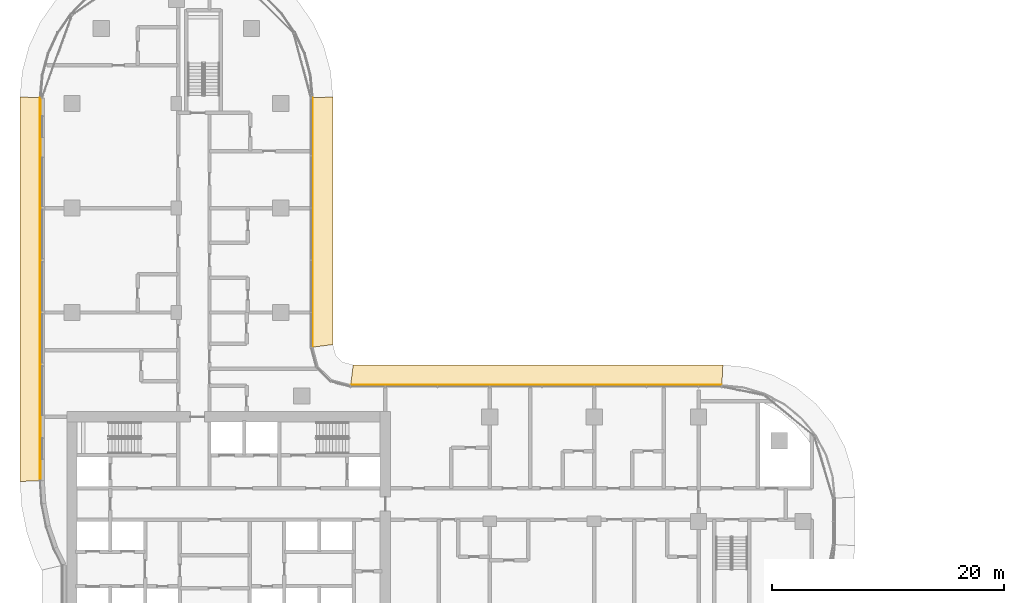
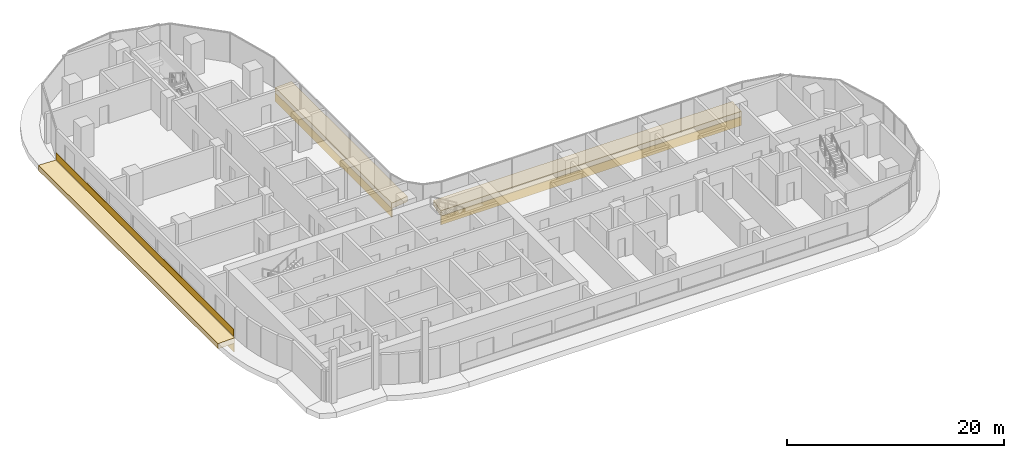
# One storey, part 32 of 36: 7 coverings.
"""IFC4 building model written with IfcOpenShell, lengths in metres."""

from ifc_helpers import new_model, si_unit, direction, frame, origin, origin_2d, place, context, subcontext, project, spatial, polyline, rectangle, outline, extrude, material, layer, layer_set, type_object, element, save


model = new_model("IFC4")

# Units and contexts
model_context = context("Model", 3, precision=1e-05, world=origin(), true_north=direction((0.0, 1.0)))
body_context = subcontext(model_context, "Body", "Model", "MODEL_VIEW")
ifc_project = project(units=[si_unit("LENGTHUNIT", "METRE"), si_unit("AREAUNIT", "SQUARE_METRE"), si_unit("VOLUMEUNIT", "CUBIC_METRE"), si_unit("PLANEANGLEUNIT", "RADIAN"), si_unit("MASSUNIT", "GRAM", prefix="KILO")], contexts=[model_context])

# Site, building, storey
site_placement = place(None, origin())
site = spatial("IfcSite", under=ifc_project, at=site_placement, CompositionType="ELEMENT")
building_placement = place(site_placement, origin())
building = spatial("IfcBuilding", under=site, at=building_placement, Name="Ogive Portal Towers", CompositionType="ELEMENT")
storey_placement = place(building_placement, frame((0.0, 0.0, 63.10009765625)))
storey = spatial("IfcBuildingStorey", under=building, at=storey_placement, Name="L14", CompositionType="ELEMENT", Elevation=63.10009765625)

# Coverings
ifc_material = material(Name="Limestone cladding on lightweight block wall", Category="masonry")
ifc_layer_1 = layer(ifc_material, 0.050048828125)
ifc_layer_set_1 = layer_set([ifc_layer_1], Name="SCREEN PERFORATED STONE")
covering_type_1 = type_object("IfcCoveringType", Name="SCREEN PERFORATED STONE", PredefinedType="CLADDING", material=ifc_layer_set_1)
covering_1_placement = place(storey_placement, frame((28.794921875, 50.497802734375, 0.10009765625), z_axis=(0.0, 0.0, 1.0), x_axis=(0.0, -1.0, 0.0)))
element("IfcCovering", 1, at=covering_1_placement, inside=storey, type_object=covering_type_1, Name="Tracery screen", PredefinedType="CLADDING", context=body_context, shape_type="SweptSolid", body=[
    extrude(rectangle(XDim=32.776123046875, YDim=0.050048828125, at=origin_2d()), origin(), (0.0, 0.0, 1.0), 0.800048828125),
])
ifc_layer_2 = layer(ifc_material, 0.080078125)
ifc_layer_set_2 = layer_set([ifc_layer_2], Name="STONE SPANDREL 80")
covering_type_2 = type_object("IfcCoveringType", Name="STONE SPANDREL 80", PredefinedType="CLADDING", material=ifc_layer_set_2)
covering_2_placement = place(storey_placement, frame((0.0, 0.0, -1.60009765625)))
element("IfcCovering", 2, at=covering_2_placement, inside=storey, type_object=covering_type_2, Name="Stone spandrel A1-F09", PredefinedType="CLADDING", context=body_context, shape_type="SweptSolid", body=[
    extrude(outline(polyline([(87.5, 42.179931640625), (55.5, 42.179931640625), (55.510498046875, 42.260009765625), (87.50390625, 42.260009765625), (87.5, 42.179931640625)])), origin(), (0.0, 0.0, 1.0), 1.0),
])
covering_3_placement = place(storey_placement, frame((0.0, 0.0, -1.60009765625)))
element("IfcCovering", 3, at=covering_3_placement, inside=storey, type_object=covering_type_2, Name="Stone spandrel A1-F11", PredefinedType="CLADDING", context=body_context, shape_type="SweptSolid", body=[
    extrude(outline(polyline([(52.179931640625, 45.5), (52.179931640625, 67.0), (52.260009765625, 67.00341796875), (52.260009765625, 45.510498046875), (52.179931640625, 45.5)])), origin(), (0.0, 0.0, 1.0), 1.0),
])
covering_4_placement = place(storey_placement, frame((0.0, 0.0, -1.60009765625)))
element("IfcCovering", 4, at=covering_4_placement, inside=storey, type_object=covering_type_2, Name="Stone spandrel A1-F13", PredefinedType="CLADDING", context=body_context, shape_type="SweptSolid", body=[
    extrude(outline(polyline([(28.820068359375, 67.0), (28.820068359375, 34.0), (28.739990234375, 33.997314453125), (28.739990234375, 67.00341796875), (28.820068359375, 67.0)])), origin(), (0.0, 0.0, 1.0), 1.0),
])
ifc_layer_3 = layer(ifc_material, 0.60009765625)
ifc_layer_set_3 = layer_set([ifc_layer_3], Name="SUNSHADE LIP 600")
covering_type_3 = type_object("IfcCoveringType", Name="SUNSHADE LIP 600", PredefinedType="CLADDING", material=ifc_layer_set_3)
covering_5_placement = place(storey_placement, frame((0.0, 0.0, -0.60009765625)))
element("IfcCovering", 5, at=covering_5_placement, inside=storey, type_object=covering_type_3, Name="Sunshade lip A1-F09", PredefinedType="CLADDING", context=body_context, shape_type="SweptSolid", body=[
    extrude(outline(polyline([(87.5, 42.179931640625), (55.5, 42.179931640625), (55.737060546875, 43.97998046875), (87.58837890625, 43.97998046875), (87.5, 42.179931640625)])), origin(), (0.0, 0.0, 1.0), 0.60009765625),
])
covering_6_placement = place(storey_placement, frame((0.0, 0.0, -0.60009765625)))
element("IfcCovering", 6, at=covering_6_placement, inside=storey, type_object=covering_type_3, Name="Sunshade lip A1-F11", PredefinedType="CLADDING", context=body_context, shape_type="SweptSolid", body=[
    extrude(outline(polyline([(52.179931640625, 45.5), (52.179931640625, 67.0), (53.97998046875, 67.07861328125), (53.97998046875, 45.737060546875), (52.179931640625, 45.5)])), origin(), (0.0, 0.0, 1.0), 0.60009765625),
])
covering_7_placement = place(storey_placement, frame((0.0, 0.0, -0.60009765625)))
element("IfcCovering", 7, at=covering_7_placement, inside=storey, type_object=covering_type_3, Name="Sunshade lip A1-F13", PredefinedType="CLADDING", context=body_context, shape_type="SweptSolid", body=[
    extrude(outline(polyline([(28.820068359375, 67.0), (28.820068359375, 34.0), (27.02001953125, 33.941162109375), (27.02001953125, 67.07861328125), (28.820068359375, 67.0)])), origin(), (0.0, 0.0, 1.0), 0.60009765625),
])

save(model, "model.ifc")
